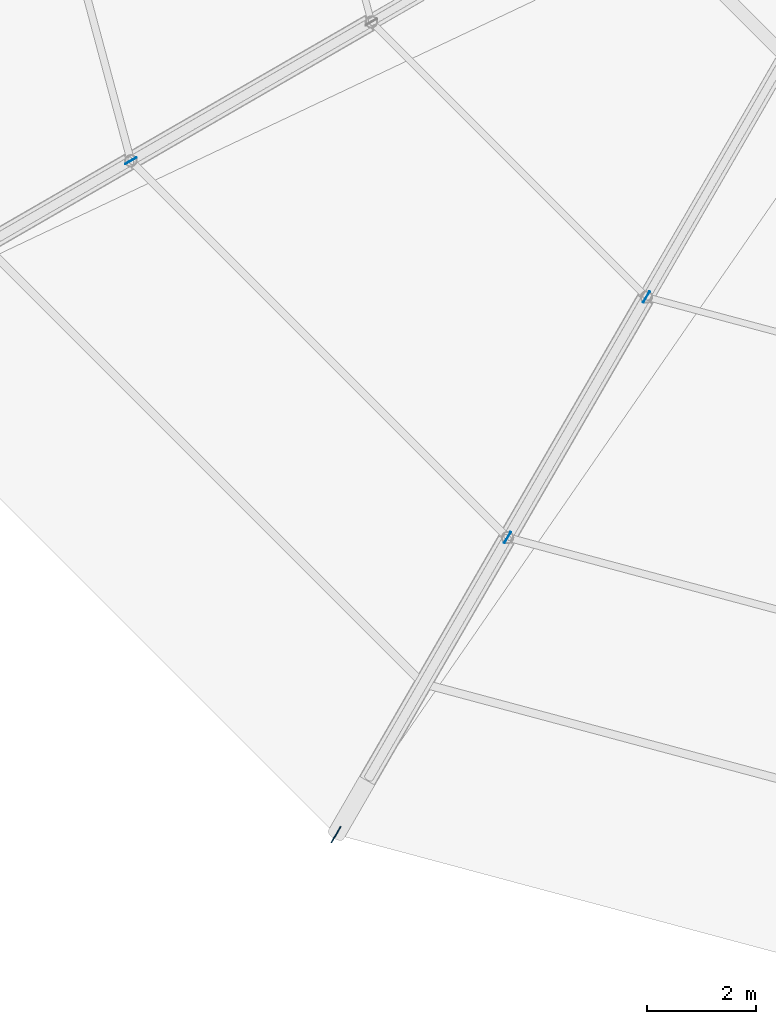
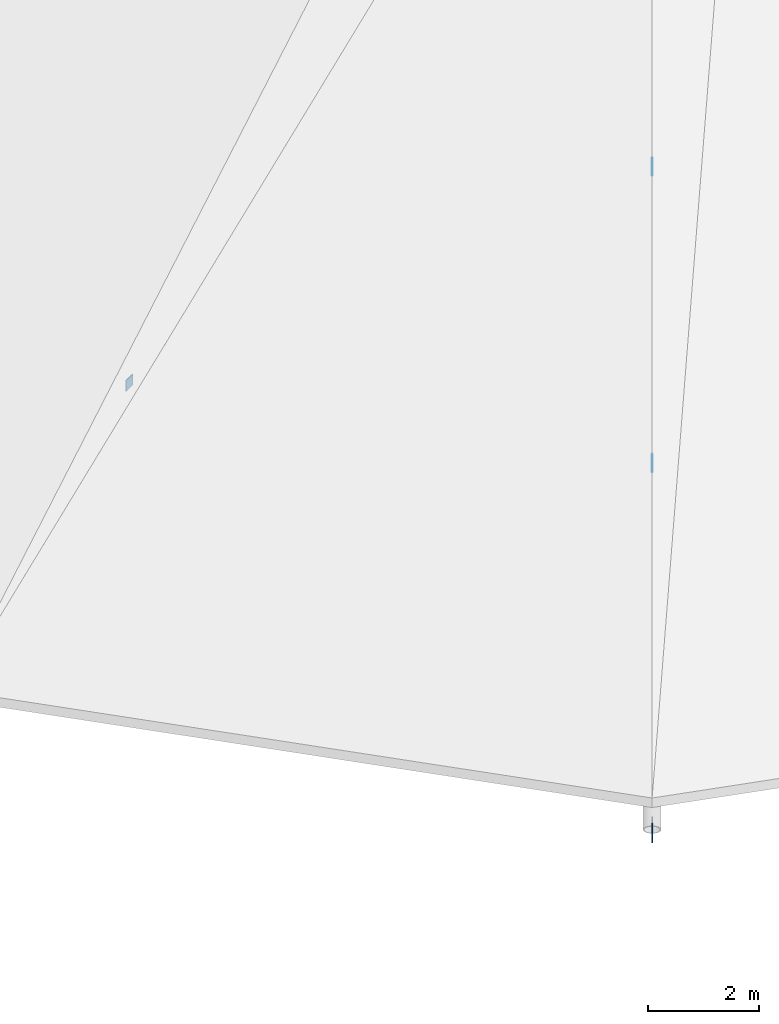
# One storey, part 39 of 58: 4 plates.
"""IFC4 building model written with IfcOpenShell, lengths in metres."""

from ifc_helpers import new_model, si_unit, derived_unit, direction, frame, origin, origin_2d, place, context, subcontext, project, spatial, rectangle, extrude, material, layer, layer_set, type_object, element, save


model = new_model("IFC4")

# Units and contexts
model_context = context("Model", 3, precision=1e-05, world=origin(), true_north=direction((0.0, 1.0)))
body_context = subcontext(model_context, "Body", "Model", "MODEL_VIEW")
ifc_project = project(units=[si_unit("LENGTHUNIT", "METRE"), si_unit("AREAUNIT", "SQUARE_METRE"), si_unit("VOLUMEUNIT", "CUBIC_METRE"), si_unit("PLANEANGLEUNIT", "RADIAN"), si_unit("MASSUNIT", "GRAM", prefix="KILO"), derived_unit("THERMALTRANSMITTANCEUNIT", [(si_unit("POWERUNIT", "WATT"), 1), (si_unit("AREAUNIT", "SQUARE_METRE"), -1), (si_unit("THERMODYNAMICTEMPERATUREUNIT", "KELVIN"), -1)])], contexts=[model_context])

# Site, building, storey
site_placement = place(None, origin())
site = spatial("IfcSite", under=ifc_project, at=site_placement, CompositionType="ELEMENT")
building_placement = place(site_placement, origin())
building = spatial("IfcBuilding", under=site, at=building_placement, Name="Yasenodar Specialist Clinic", CompositionType="ELEMENT")
storey_placement = place(building_placement, frame((0.0, 0.0, 21.300048828125)))
storey = spatial("IfcBuildingStorey", under=building, at=storey_placement, Name="L05", CompositionType="ELEMENT", Elevation=21.300048828125)

# Plates
ifc_material = material(Name="Steel S355", Category="steel")
ifc_layer_1 = layer(ifc_material, 0.02001953125)
ifc_layer_set_1 = layer_set([ifc_layer_1], Name="Steel S355")
plate_type_1 = type_object("IfcPlateType", Name="PL-STEEL-03", PredefinedType="SHEET", material=ifc_layer_set_1)
plate_placement = place(storey_placement, frame((68.39990234375, 36.976318359375, -0.8701171875), z_axis=(0.0, 0.0, 1.0), x_axis=(-0.5, -0.866025403784, 0.0)))
element("IfcPlate", 1, at=plate_placement, inside=storey, type_object=plate_type_1, Name="L05 Hollow Section End-Cap Plate 0083", PredefinedType="SHEET", context=body_context, shape_type="SweptSolid", body=[
    extrude(rectangle(XDim=0.340087890625, YDim=0.02001953125, at=origin_2d()), origin(), (0.0, 0.0, 1.0), 0.340087890625),
])
ifc_layer_2 = layer(ifc_material, 0.01611328125)
ifc_layer_set_2 = layer_set([ifc_layer_2], Name="Steel S355")
plate_type_2 = type_object("IfcPlateType", Name="PL-STEEL-05", PredefinedType="USERDEFINED", material=ifc_layer_set_2)
for number, where, z_axis, x_axis, name in (
    (2, (64.632080078125, 49.35009765625, 2.85498046875), (0.0, 0.0, 1.0), (-0.866025403784, -0.5, 0.0), "L05 Hollow Section End-Cap Plate 0079"),
    (3, (71.550048828125, 42.43212890625, 2.85498046875), (0.0, 0.0, 1.0), (-0.5, -0.866025403784, 0.0), "L05 Hollow Section End-Cap Plate 0084"),
    (4, (74.10009765625, 46.848876953125, 5.830078125), (0.0, 0.0, 1.0), (-0.5, -0.866025403784, 0.0), "L05 Hollow Section End-Cap Plate 0085"),
):
    element("IfcPlate", number, at=place(storey_placement, frame(where, z_axis=z_axis, x_axis=x_axis)), inside=storey, type_object=plate_type_2, Name=name, ObjectType="CAP_PLATE", PredefinedType="USERDEFINED", context=body_context, shape_type="SweptSolid", body=[
        extrude(rectangle(XDim=0.239990234375, YDim=0.01611328125, at=origin_2d()), origin(), (0.0, 0.0, 1.0), 0.239990234375),
    ])

save(model, "model.ifc")
